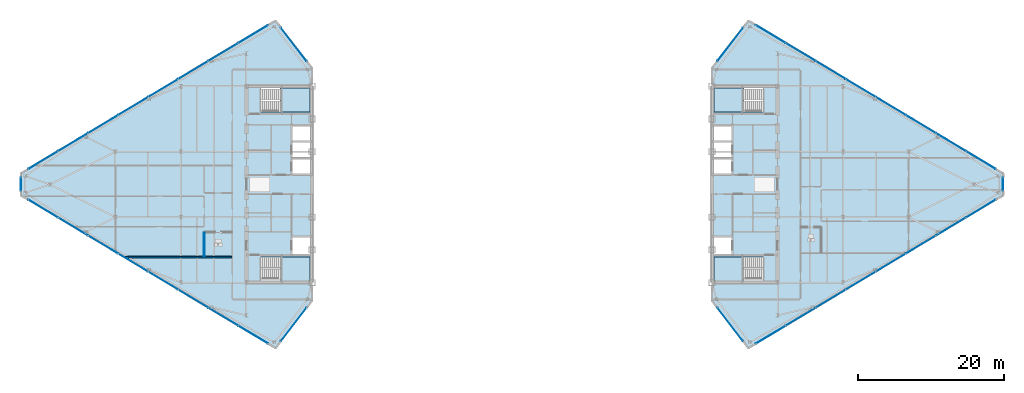
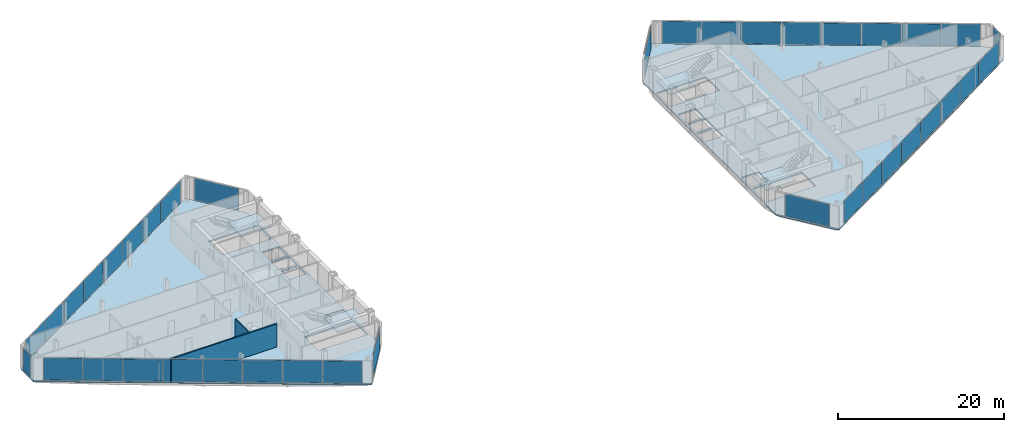
# One storey, part 18 of 25: 38 plates, 6 slabs, 2 walls, 14 elements without a shape of their own.
"""IFC4 building model written with IfcOpenShell, lengths in metres."""

from ifc_helpers import new_model, si_unit, direction, frame, frame_2d, origin, origin_2d, place, context, subcontext, project, spatial, polyline, rectangle, outline, extrude, source, transform, mapped, material, layer, layer_set, type_object, type_shapes, element, aggregate, save


model = new_model("IFC4")

# Units and contexts
model_context = context("Model", 3, precision=1e-05, world=origin(), true_north=direction((0.0, 1.0)))
body_context = subcontext(model_context, "Body", "Model", "MODEL_VIEW")
ifc_project = project(units=[si_unit("LENGTHUNIT", "METRE"), si_unit("AREAUNIT", "SQUARE_METRE"), si_unit("VOLUMEUNIT", "CUBIC_METRE"), si_unit("PLANEANGLEUNIT", "RADIAN"), si_unit("MASSUNIT", "GRAM", prefix="KILO")], contexts=[model_context])

# Site, building, storey
site_placement = place(None, origin())
site = spatial("IfcSite", under=ifc_project, at=site_placement, CompositionType="ELEMENT")
building_placement = place(site_placement, origin())
building = spatial("IfcBuilding", under=site, at=building_placement, Name="Seokmaru Belvedere", CompositionType="ELEMENT")
storey_placement = place(building_placement, frame((0.0, 0.0, 206.699951171875)))
storey = spatial("IfcBuildingStorey", under=building, at=storey_placement, Name="L55", CompositionType="ELEMENT", Elevation=206.699951171875)

# Stair, slab
ifc_material_1 = material(Name="Concrete C40 (40 MPa)", Category="concrete")
stair_type = type_object("IfcStairType", Name="Typical Tower Core Dog-Leg Stair 3600", PredefinedType="TWO_STRAIGHT_RUN_STAIR", material=ifc_material_1)
stair_1_placement = place(storey_placement, origin())
stair_1 = element("IfcStair", 1, at=stair_1_placement, inside=storey, type_object=stair_type, Name="L55 Special Escape Stair ST-W1", PredefinedType="TWO_STRAIGHT_RUN_STAIR")
ifc_layer_1 = layer(ifc_material_1, 0.199951171875)
ifc_layer_set_1 = layer_set([ifc_layer_1], Name="Concrete C40 (40 MPa)")
slab_type_1 = type_object("IfcSlabType", Name="Reinforced Concrete Stair Landing Slab 200", PredefinedType="LANDING", material=ifc_layer_set_1)
slab_1_placement = place(storey_placement, frame((0.0, 0.0, 1.60009765625)))
slab_1 = element("IfcSlab", 2, at=slab_1_placement, type_object=slab_type_1, Name="ST-W1 landing 1", PredefinedType="LANDING", context=body_context, shape_type="SweptSolid", body=[
    extrude(outline(polyline([(-31.8798828125, -13.239990234375), (-27.760009765625, -13.239990234375), (-27.760009765625, -9.949951171875), (-31.8798828125, -9.949951171875), (-31.8798828125, -13.239990234375)])), origin(), (0.0, 0.0, 1.0), 0.199951171875),
])
aggregate(stair_1, [slab_1])

stair_2_placement = place(storey_placement, origin())
stair_2 = element("IfcStair", 3, at=stair_2_placement, inside=storey, type_object=stair_type, Name="L55 Special Escape Stair ST-W2", PredefinedType="TWO_STRAIGHT_RUN_STAIR")
slab_2_placement = place(storey_placement, frame((0.0, 0.0, 1.60009765625)))
slab_2 = element("IfcSlab", 4, at=slab_2_placement, type_object=slab_type_1, Name="ST-W2 landing 1", PredefinedType="LANDING", context=body_context, shape_type="SweptSolid", body=[
    extrude(outline(polyline([(-31.8798828125, 9.949951171875), (-27.760009765625, 9.949951171875), (-27.760009765625, 13.239990234375), (-31.8798828125, 13.239990234375), (-31.8798828125, 9.949951171875)])), origin(), (0.0, 0.0, 1.0), 0.199951171875),
])
aggregate(stair_2, [slab_2])

stair_3_placement = place(storey_placement, origin())
stair_3 = element("IfcStair", 5, at=stair_3_placement, inside=storey, type_object=stair_type, Name="L55 Special Escape Stair ST-E1", PredefinedType="TWO_STRAIGHT_RUN_STAIR")
slab_3_placement = place(storey_placement, frame((0.0, 0.0, 1.60009765625)))
slab_3 = element("IfcSlab", 6, at=slab_3_placement, type_object=slab_type_1, Name="ST-E1 landing 1", PredefinedType="LANDING", context=body_context, shape_type="SweptSolid", body=[
    extrude(outline(polyline([(27.760009765625, -13.239990234375), (31.8798828125, -13.239990234375), (31.8798828125, -9.949951171875), (27.760009765625, -9.949951171875), (27.760009765625, -13.239990234375)])), origin(), (0.0, 0.0, 1.0), 0.199951171875),
])
aggregate(stair_3, [slab_3])

stair_4_placement = place(storey_placement, origin())
stair_4 = element("IfcStair", 7, at=stair_4_placement, inside=storey, type_object=stair_type, Name="L55 Special Escape Stair ST-E2", PredefinedType="TWO_STRAIGHT_RUN_STAIR")
slab_4_placement = place(storey_placement, frame((0.0, 0.0, 1.60009765625)))
slab_4 = element("IfcSlab", 8, at=slab_4_placement, type_object=slab_type_1, Name="ST-E2 landing 1", PredefinedType="LANDING", context=body_context, shape_type="SweptSolid", body=[
    extrude(outline(polyline([(27.760009765625, 9.949951171875), (31.8798828125, 9.949951171875), (31.8798828125, 13.239990234375), (27.760009765625, 13.239990234375), (27.760009765625, 9.949951171875)])), origin(), (0.0, 0.0, 1.0), 0.199951171875),
])
aggregate(stair_4, [slab_4])

# Slabs
ifc_layer_2 = layer(ifc_material_1, 0.219970703125)
ifc_layer_set_2 = layer_set([ifc_layer_2], Name="Concrete C40 (40 MPa)")
slab_type_2 = type_object("IfcSlabType", Name="Typical Tower Composite Floor Slab 220", PredefinedType="FLOOR", material=ifc_layer_set_2)
slab_5_placement = place(storey_placement, frame((0.0, 0.0, -0.219970703125)))
element("IfcSlab", 9, at=slab_5_placement, inside=storey, type_object=slab_type_2, Name="L55 West Leg Floor Slab", PredefinedType="FLOOR", context=body_context, shape_type="SweptSolid", body=[
    extrude(outline(polyline([(-27.5, -16.0), (-27.5, 16.0), (-32.5, 22.5), (-67.5, 1.5), (-67.5, -1.5), (-32.5, -22.5), (-27.5, -16.0)]), holes=[polyline([(-34.60009765625, -13.25), (-27.75, -13.25), (-27.75, -9.949951171875), (-34.60009765625, -9.949951171875), (-34.60009765625, -13.25)]), polyline([(-34.60009765625, 9.949951171875), (-27.75, 9.949951171875), (-27.75, 13.25), (-34.60009765625, 13.25), (-34.60009765625, 9.949951171875)]), polyline([(-30.14990234375, -9.550048828125), (-27.75, -9.550048828125), (-27.75, -7.25), (-30.14990234375, -7.25), (-30.14990234375, -9.550048828125)]), polyline([(-30.14990234375, 1.449951171875), (-27.75, 1.449951171875), (-27.75, 3.449951171875), (-30.14990234375, 3.449951171875), (-30.14990234375, 1.449951171875)]), polyline([(-30.14990234375, 3.75), (-27.75, 3.75), (-27.75, 5.75), (-30.14990234375, 5.75), (-30.14990234375, 3.75)]), polyline([(-30.14990234375, 6.050048828125), (-27.75, 6.050048828125), (-27.75, 8.050048828125), (-30.14990234375, 8.050048828125), (-30.14990234375, 6.050048828125)])]), origin(), (0.0, 0.0, 1.0), 0.219970703125),
])
slab_6_placement = place(storey_placement, frame((0.0, 0.0, -0.219970703125)))
element("IfcSlab", 10, at=slab_6_placement, inside=storey, type_object=slab_type_2, Name="L55 East Leg Floor Slab", PredefinedType="FLOOR", context=body_context, shape_type="SweptSolid", body=[
    extrude(outline(polyline([(32.5, -22.5), (67.5, -1.5), (67.5, 1.5), (32.5, 22.5), (27.5, 16.0), (27.5, -16.0), (32.5, -22.5)]), holes=[polyline([(27.75, -13.25), (34.60009765625, -13.25), (34.60009765625, -9.949951171875), (27.75, -9.949951171875), (27.75, -13.25)]), polyline([(27.75, 9.949951171875), (34.60009765625, 9.949951171875), (34.60009765625, 13.25), (27.75, 13.25), (27.75, 9.949951171875)]), polyline([(27.75, -9.550048828125), (30.14990234375, -9.550048828125), (30.14990234375, -7.25), (27.75, -7.25), (27.75, -9.550048828125)]), polyline([(27.75, 1.449951171875), (30.14990234375, 1.449951171875), (30.14990234375, 3.449951171875), (27.75, 3.449951171875), (27.75, 1.449951171875)]), polyline([(27.75, 3.75), (30.14990234375, 3.75), (30.14990234375, 5.75), (27.75, 5.75), (27.75, 3.75)]), polyline([(27.75, 6.050048828125), (30.14990234375, 6.050048828125), (30.14990234375, 8.050048828125), (27.75, 8.050048828125), (27.75, 6.050048828125)])]), origin(), (0.0, 0.0, 1.0), 0.219970703125),
])

# Curtain wall, plate
ifc_material_2 = material(Name="Bronze Triple Insulating Glass", Category="glass")
ifc_layer_3 = layer(ifc_material_2, 0.179931640625)
ifc_layer_set_3 = layer_set([ifc_layer_3], Name="Bronze Triple Insulating Glass")
curtain_wall_type = type_object("IfcCurtainWallType", Name="High-Rise Wind-Corner Curtain Wall System CW-5", PredefinedType="NOTDEFINED", material=ifc_layer_set_3)
curtain_wall_1_placement = place(storey_placement, origin())
curtain_wall_1 = element("IfcCurtainWall", 11, at=curtain_wall_1_placement, inside=storey, type_object=curtain_wall_type, Name="L55 Curtain Wall WF2", PredefinedType="NOTDEFINED")
ifc_layer_4 = layer(ifc_material_2, 0.035888671875)
ifc_layer_set_4 = layer_set([ifc_layer_4], Name="Bronze Triple Insulating Glass")
plate_type = type_object("IfcPlateType", Name="Bronze Triple Vision Glazing Panel 36", PredefinedType="CURTAIN_PANEL", material=ifc_layer_set_4)
shared_shape_1 = source(origin(), body_context, "Body", "SweptSolid", [
    extrude(rectangle(XDim=5.7705078125, YDim=0.035888671875, at=origin_2d()), origin(), (0.0, 0.0, 1.0), 3.25),
])
plate_1_placement = place(storey_placement, frame((-30.0, 19.25, 0.06494140625), z_axis=(0.0, 0.0, 1.0), x_axis=(-0.609701187349, 0.792631353244, 0.0)))
plate_1 = element("IfcPlate", 12, at=plate_1_placement, type_object=plate_type, Name="CW:L55:WF2 Glazing Panel 1-1", PredefinedType="CURTAIN_PANEL", context=body_context, shape_type="MappedRepresentation", body=[
    mapped(shared_shape_1, transform((0.0, 0.0, 0.0), scale=1.0)),
])
aggregate(curtain_wall_1, [plate_1])

curtain_wall_2_placement = place(storey_placement, origin())
curtain_wall_2 = element("IfcCurtainWall", 13, at=curtain_wall_2_placement, inside=storey, type_object=curtain_wall_type, Name="L55 Curtain Wall WF6", PredefinedType="NOTDEFINED")
plate_2_placement = place(storey_placement, frame((-30.0, -19.25, 0.06494140625), z_axis=(0.0, 0.0, 1.0), x_axis=(0.609701187349, 0.792631353244, 0.0)))
plate_2 = element("IfcPlate", 14, at=plate_2_placement, type_object=plate_type, Name="CW:L55:WF6 Glazing Panel 1-1", PredefinedType="CURTAIN_PANEL", context=body_context, shape_type="MappedRepresentation", body=[
    mapped(shared_shape_1, transform((0.0, 0.0, 0.0), scale=1.0)),
])
aggregate(curtain_wall_2, [plate_2])

curtain_wall_3_placement = place(storey_placement, origin())
curtain_wall_3 = element("IfcCurtainWall", 15, at=curtain_wall_3_placement, inside=storey, type_object=curtain_wall_type, Name="L55 Curtain Wall EF4", PredefinedType="NOTDEFINED")
plate_3_placement = place(storey_placement, frame((30.0, 19.25, 0.06494140625), z_axis=(0.0, 0.0, 1.0), x_axis=(-0.609701187349, -0.792631353244, 0.0)))
plate_3 = element("IfcPlate", 16, at=plate_3_placement, type_object=plate_type, Name="CW:L55:EF4 Glazing Panel 1-1", PredefinedType="CURTAIN_PANEL", context=body_context, shape_type="MappedRepresentation", body=[
    mapped(shared_shape_1, transform((0.0, 0.0, 0.0), scale=1.0)),
])
aggregate(curtain_wall_3, [plate_3])

curtain_wall_4_placement = place(storey_placement, origin())
curtain_wall_4 = element("IfcCurtainWall", 17, at=curtain_wall_4_placement, inside=storey, type_object=curtain_wall_type, Name="L55 Curtain Wall EF6", PredefinedType="NOTDEFINED")
plate_4_placement = place(storey_placement, frame((30.0, -19.25, 0.06494140625), z_axis=(0.0, 0.0, 1.0), x_axis=(0.609701187349, -0.792631353244, 0.0)))
plate_4 = element("IfcPlate", 18, at=plate_4_placement, type_object=plate_type, Name="CW:L55:EF6 Glazing Panel 1-1", PredefinedType="CURTAIN_PANEL", context=body_context, shape_type="MappedRepresentation", body=[
    mapped(shared_shape_1, transform((0.0, 0.0, 0.0), scale=1.0)),
])
aggregate(curtain_wall_4, [plate_4])

# Curtain wall, plates
curtain_wall_5_placement = place(storey_placement, origin())
curtain_wall_5 = element("IfcCurtainWall", 19, at=curtain_wall_5_placement, inside=storey, type_object=curtain_wall_type, Name="L55 Curtain Wall WF3", PredefinedType="NOTDEFINED")
shared_shape_2 = source(origin(), body_context, "Body", "SweptSolid", [
    extrude(rectangle(XDim=4.717041015625, YDim=0.035888671875, at=origin_2d()), origin(), (0.0, 0.0, 1.0), 3.25),
])
plate_5_placement = place(storey_placement, frame((-35.564208984375, 20.661376953125, 0.06494140625), z_axis=(0.0, 0.0, 1.0), x_axis=(-0.85749343335, -0.514494909364, 0.0)))
plate_5 = element("IfcPlate", 20, at=plate_5_placement, type_object=plate_type, Name="CW:L55:WF3 Glazing Panel 1-1", PredefinedType="CURTAIN_PANEL", context=body_context, shape_type="MappedRepresentation", body=[
    mapped(shared_shape_2, transform((0.0, 0.0, 0.0), scale=1.0)),
])
plate_6_placement = place(storey_placement, frame((-64.435791015625, 3.338623046875, 0.06494140625), z_axis=(0.0, 0.0, 1.0), x_axis=(-0.85749343335, -0.514494909364, 0.0)))
plate_6 = element("IfcPlate", 21, at=plate_6_placement, type_object=plate_type, Name="CW:L55:WF3 Glazing Panel 8-1", PredefinedType="CURTAIN_PANEL", context=body_context, shape_type="MappedRepresentation", body=[
    mapped(shared_shape_2, transform((0.0, 0.0, 0.0), scale=1.0)),
])

curtain_wall_6_placement = place(storey_placement, origin())
curtain_wall_6 = element("IfcCurtainWall", 22, at=curtain_wall_6_placement, inside=storey, type_object=curtain_wall_type, Name="L55 Curtain Wall WF5", PredefinedType="NOTDEFINED")
plate_7_placement = place(storey_placement, frame((-64.435791015625, -3.338623046875, 0.06494140625), z_axis=(0.0, 0.0, 1.0), x_axis=(0.85749343335, -0.514494909364, 0.0)))
plate_7 = element("IfcPlate", 23, at=plate_7_placement, type_object=plate_type, Name="CW:L55:WF5 Glazing Panel 1-1", PredefinedType="CURTAIN_PANEL", context=body_context, shape_type="MappedRepresentation", body=[
    mapped(shared_shape_2, transform((0.0, 0.0, 0.0), scale=1.0)),
])
plate_8_placement = place(storey_placement, frame((-35.564208984375, -20.661376953125, 0.06494140625), z_axis=(0.0, 0.0, 1.0), x_axis=(0.85749343335, -0.514494909364, 0.0)))
plate_8 = element("IfcPlate", 24, at=plate_8_placement, type_object=plate_type, Name="CW:L55:WF5 Glazing Panel 8-1", PredefinedType="CURTAIN_PANEL", context=body_context, shape_type="MappedRepresentation", body=[
    mapped(shared_shape_2, transform((0.0, 0.0, 0.0), scale=1.0)),
])

curtain_wall_7_placement = place(storey_placement, origin())
curtain_wall_7 = element("IfcCurtainWall", 25, at=curtain_wall_7_placement, inside=storey, type_object=curtain_wall_type, Name="L55 Curtain Wall EF1", PredefinedType="NOTDEFINED")
plate_9_placement = place(storey_placement, frame((35.564208984375, -20.661376953125, 0.06494140625), z_axis=(0.0, 0.0, 1.0), x_axis=(0.85749343335, 0.514494909364, 0.0)))
plate_9 = element("IfcPlate", 26, at=plate_9_placement, type_object=plate_type, Name="CW:L55:EF1 Glazing Panel 1-1", PredefinedType="CURTAIN_PANEL", context=body_context, shape_type="MappedRepresentation", body=[
    mapped(shared_shape_2, transform((0.0, 0.0, 0.0), scale=1.0)),
])
plate_10_placement = place(storey_placement, frame((64.435791015625, -3.338623046875, 0.06494140625), z_axis=(0.0, 0.0, 1.0), x_axis=(0.85749343335, 0.514494909364, 0.0)))
plate_10 = element("IfcPlate", 27, at=plate_10_placement, type_object=plate_type, Name="CW:L55:EF1 Glazing Panel 8-1", PredefinedType="CURTAIN_PANEL", context=body_context, shape_type="MappedRepresentation", body=[
    mapped(shared_shape_2, transform((0.0, 0.0, 0.0), scale=1.0)),
])

curtain_wall_8_placement = place(storey_placement, origin())
curtain_wall_8 = element("IfcCurtainWall", 28, at=curtain_wall_8_placement, inside=storey, type_object=curtain_wall_type, Name="L55 Curtain Wall EF3", PredefinedType="NOTDEFINED")
plate_11_placement = place(storey_placement, frame((64.435791015625, 3.338623046875, 0.06494140625), z_axis=(0.0, 0.0, 1.0), x_axis=(-0.85749343335, 0.514494909364, 0.0)))
plate_11 = element("IfcPlate", 29, at=plate_11_placement, type_object=plate_type, Name="CW:L55:EF3 Glazing Panel 1-1", PredefinedType="CURTAIN_PANEL", context=body_context, shape_type="MappedRepresentation", body=[
    mapped(shared_shape_2, transform((0.0, 0.0, 0.0), scale=1.0)),
])
plate_12_placement = place(storey_placement, frame((35.564208984375, 20.661376953125, 0.06494140625), z_axis=(0.0, 0.0, 1.0), x_axis=(-0.85749343335, 0.514494909364, 0.0)))
plate_12 = element("IfcPlate", 30, at=plate_12_placement, type_object=plate_type, Name="CW:L55:EF3 Glazing Panel 8-1", PredefinedType="CURTAIN_PANEL", context=body_context, shape_type="MappedRepresentation", body=[
    mapped(shared_shape_2, transform((0.0, 0.0, 0.0), scale=1.0)),
])

# Plate
shared_shape_3 = source(origin(), body_context, "Body", "SweptSolid", [
    extrude(rectangle(XDim=4.74951171875, YDim=0.035888671875, at=origin_2d()), origin(), (0.0, 0.0, 1.0), 3.25),
])
plate_13_placement = place(storey_placement, frame((-39.6787109375, 18.192626953125, 0.06494140625), z_axis=(0.0, 0.0, 1.0), x_axis=(-0.85749343335, -0.514494909364, 0.0)))
plate_13 = element("IfcPlate", 31, at=plate_13_placement, type_object=plate_type, Name="CW:L55:WF3 Glazing Panel 2-1", PredefinedType="CURTAIN_PANEL", context=body_context, shape_type="MappedRepresentation", body=[
    mapped(shared_shape_3, transform((0.0, 0.0, 0.0), scale=1.0)),
])

plate_14_placement = place(storey_placement, frame((-43.807373046875, 15.715576171875, 0.06494140625), z_axis=(0.0, 0.0, 1.0), x_axis=(-0.85749343335, -0.514494909364, 0.0)))
plate_14 = element("IfcPlate", 32, at=plate_14_placement, type_object=plate_type, Name="CW:L55:WF3 Glazing Panel 3-1", PredefinedType="CURTAIN_PANEL", context=body_context, shape_type="MappedRepresentation", body=[
    mapped(shared_shape_3, transform((0.0, 0.0, 0.0), scale=1.0)),
])

plate_15_placement = place(storey_placement, frame((-47.935791015625, 13.238525390625, 0.06494140625), z_axis=(0.0, 0.0, 1.0), x_axis=(-0.85749343335, -0.514494909364, 0.0)))
plate_15 = element("IfcPlate", 33, at=plate_15_placement, type_object=plate_type, Name="CW:L55:WF3 Glazing Panel 4-1", PredefinedType="CURTAIN_PANEL", context=body_context, shape_type="MappedRepresentation", body=[
    mapped(shared_shape_3, transform((0.0, 0.0, 0.0), scale=1.0)),
])

plate_16_placement = place(storey_placement, frame((-52.064208984375, 10.761474609375, 0.06494140625), z_axis=(0.0, 0.0, 1.0), x_axis=(-0.85749343335, -0.514494909364, 0.0)))
plate_16 = element("IfcPlate", 34, at=plate_16_placement, type_object=plate_type, Name="CW:L55:WF3 Glazing Panel 5-1", PredefinedType="CURTAIN_PANEL", context=body_context, shape_type="MappedRepresentation", body=[
    mapped(shared_shape_3, transform((0.0, 0.0, 0.0), scale=1.0)),
])

plate_17_placement = place(storey_placement, frame((-56.192626953125, 8.284423828125, 0.06494140625), z_axis=(0.0, 0.0, 1.0), x_axis=(-0.85749343335, -0.514494909364, 0.0)))
plate_17 = element("IfcPlate", 35, at=plate_17_placement, type_object=plate_type, Name="CW:L55:WF3 Glazing Panel 6-1", PredefinedType="CURTAIN_PANEL", context=body_context, shape_type="MappedRepresentation", body=[
    mapped(shared_shape_3, transform((0.0, 0.0, 0.0), scale=1.0)),
])

plate_18_placement = place(storey_placement, frame((-60.3212890625, 5.807373046875, 0.06494140625), z_axis=(0.0, 0.0, 1.0), x_axis=(-0.85749343335, -0.514494909364, 0.0)))
plate_18 = element("IfcPlate", 36, at=plate_18_placement, type_object=plate_type, Name="CW:L55:WF3 Glazing Panel 7-1", PredefinedType="CURTAIN_PANEL", context=body_context, shape_type="MappedRepresentation", body=[
    mapped(shared_shape_3, transform((0.0, 0.0, 0.0), scale=1.0)),
])

aggregate(curtain_wall_5, [plate_5, plate_13, plate_14, plate_15, plate_16, plate_17, plate_18, plate_6])

plate_19_placement = place(storey_placement, frame((-60.3212890625, -5.807373046875, 0.06494140625), z_axis=(0.0, 0.0, 1.0), x_axis=(0.85749343335, -0.514494909364, 0.0)))
plate_19 = element("IfcPlate", 37, at=plate_19_placement, type_object=plate_type, Name="CW:L55:WF5 Glazing Panel 2-1", PredefinedType="CURTAIN_PANEL", context=body_context, shape_type="MappedRepresentation", body=[
    mapped(shared_shape_3, transform((0.0, 0.0, 0.0), scale=1.0)),
])

plate_20_placement = place(storey_placement, frame((-56.192626953125, -8.284423828125, 0.06494140625), z_axis=(0.0, 0.0, 1.0), x_axis=(0.85749343335, -0.514494909364, 0.0)))
plate_20 = element("IfcPlate", 38, at=plate_20_placement, type_object=plate_type, Name="CW:L55:WF5 Glazing Panel 3-1", PredefinedType="CURTAIN_PANEL", context=body_context, shape_type="MappedRepresentation", body=[
    mapped(shared_shape_3, transform((0.0, 0.0, 0.0), scale=1.0)),
])

plate_21_placement = place(storey_placement, frame((-52.064208984375, -10.761474609375, 0.06494140625), z_axis=(0.0, 0.0, 1.0), x_axis=(0.85749343335, -0.514494909364, 0.0)))
plate_21 = element("IfcPlate", 39, at=plate_21_placement, type_object=plate_type, Name="CW:L55:WF5 Glazing Panel 4-1", PredefinedType="CURTAIN_PANEL", context=body_context, shape_type="MappedRepresentation", body=[
    mapped(shared_shape_3, transform((0.0, 0.0, 0.0), scale=1.0)),
])

plate_22_placement = place(storey_placement, frame((-47.935791015625, -13.238525390625, 0.06494140625), z_axis=(0.0, 0.0, 1.0), x_axis=(0.85749343335, -0.514494909364, 0.0)))
plate_22 = element("IfcPlate", 40, at=plate_22_placement, type_object=plate_type, Name="CW:L55:WF5 Glazing Panel 5-1", PredefinedType="CURTAIN_PANEL", context=body_context, shape_type="MappedRepresentation", body=[
    mapped(shared_shape_3, transform((0.0, 0.0, 0.0), scale=1.0)),
])

plate_23_placement = place(storey_placement, frame((-43.807373046875, -15.715576171875, 0.06494140625), z_axis=(0.0, 0.0, 1.0), x_axis=(0.85749343335, -0.514494909364, 0.0)))
plate_23 = element("IfcPlate", 41, at=plate_23_placement, type_object=plate_type, Name="CW:L55:WF5 Glazing Panel 6-1", PredefinedType="CURTAIN_PANEL", context=body_context, shape_type="MappedRepresentation", body=[
    mapped(shared_shape_3, transform((0.0, 0.0, 0.0), scale=1.0)),
])

plate_24_placement = place(storey_placement, frame((-39.6787109375, -18.192626953125, 0.06494140625), z_axis=(0.0, 0.0, 1.0), x_axis=(0.85749343335, -0.514494909364, 0.0)))
plate_24 = element("IfcPlate", 42, at=plate_24_placement, type_object=plate_type, Name="CW:L55:WF5 Glazing Panel 7-1", PredefinedType="CURTAIN_PANEL", context=body_context, shape_type="MappedRepresentation", body=[
    mapped(shared_shape_3, transform((0.0, 0.0, 0.0), scale=1.0)),
])

aggregate(curtain_wall_6, [plate_7, plate_19, plate_20, plate_21, plate_22, plate_23, plate_24, plate_8])

plate_25_placement = place(storey_placement, frame((39.6787109375, -18.192626953125, 0.06494140625), z_axis=(0.0, 0.0, 1.0), x_axis=(0.85749343335, 0.514494909364, 0.0)))
plate_25 = element("IfcPlate", 43, at=plate_25_placement, type_object=plate_type, Name="CW:L55:EF1 Glazing Panel 2-1", PredefinedType="CURTAIN_PANEL", context=body_context, shape_type="MappedRepresentation", body=[
    mapped(shared_shape_3, transform((0.0, 0.0, 0.0), scale=1.0)),
])

plate_26_placement = place(storey_placement, frame((43.807373046875, -15.715576171875, 0.06494140625), z_axis=(0.0, 0.0, 1.0), x_axis=(0.85749343335, 0.514494909364, 0.0)))
plate_26 = element("IfcPlate", 44, at=plate_26_placement, type_object=plate_type, Name="CW:L55:EF1 Glazing Panel 3-1", PredefinedType="CURTAIN_PANEL", context=body_context, shape_type="MappedRepresentation", body=[
    mapped(shared_shape_3, transform((0.0, 0.0, 0.0), scale=1.0)),
])

plate_27_placement = place(storey_placement, frame((47.935791015625, -13.238525390625, 0.06494140625), z_axis=(0.0, 0.0, 1.0), x_axis=(0.85749343335, 0.514494909364, 0.0)))
plate_27 = element("IfcPlate", 45, at=plate_27_placement, type_object=plate_type, Name="CW:L55:EF1 Glazing Panel 4-1", PredefinedType="CURTAIN_PANEL", context=body_context, shape_type="MappedRepresentation", body=[
    mapped(shared_shape_3, transform((0.0, 0.0, 0.0), scale=1.0)),
])

plate_28_placement = place(storey_placement, frame((52.064208984375, -10.761474609375, 0.06494140625), z_axis=(0.0, 0.0, 1.0), x_axis=(0.85749343335, 0.514494909364, 0.0)))
plate_28 = element("IfcPlate", 46, at=plate_28_placement, type_object=plate_type, Name="CW:L55:EF1 Glazing Panel 5-1", PredefinedType="CURTAIN_PANEL", context=body_context, shape_type="MappedRepresentation", body=[
    mapped(shared_shape_3, transform((0.0, 0.0, 0.0), scale=1.0)),
])

plate_29_placement = place(storey_placement, frame((56.192626953125, -8.284423828125, 0.06494140625), z_axis=(0.0, 0.0, 1.0), x_axis=(0.85749343335, 0.514494909364, 0.0)))
plate_29 = element("IfcPlate", 47, at=plate_29_placement, type_object=plate_type, Name="CW:L55:EF1 Glazing Panel 6-1", PredefinedType="CURTAIN_PANEL", context=body_context, shape_type="MappedRepresentation", body=[
    mapped(shared_shape_3, transform((0.0, 0.0, 0.0), scale=1.0)),
])

plate_30_placement = place(storey_placement, frame((60.3212890625, -5.807373046875, 0.06494140625), z_axis=(0.0, 0.0, 1.0), x_axis=(0.85749343335, 0.514494909364, 0.0)))
plate_30 = element("IfcPlate", 48, at=plate_30_placement, type_object=plate_type, Name="CW:L55:EF1 Glazing Panel 7-1", PredefinedType="CURTAIN_PANEL", context=body_context, shape_type="MappedRepresentation", body=[
    mapped(shared_shape_3, transform((0.0, 0.0, 0.0), scale=1.0)),
])

aggregate(curtain_wall_7, [plate_9, plate_25, plate_26, plate_27, plate_28, plate_29, plate_30, plate_10])

plate_31_placement = place(storey_placement, frame((60.3212890625, 5.807373046875, 0.06494140625), z_axis=(0.0, 0.0, 1.0), x_axis=(-0.85749343335, 0.514494909364, 0.0)))
plate_31 = element("IfcPlate", 49, at=plate_31_placement, type_object=plate_type, Name="CW:L55:EF3 Glazing Panel 2-1", PredefinedType="CURTAIN_PANEL", context=body_context, shape_type="MappedRepresentation", body=[
    mapped(shared_shape_3, transform((0.0, 0.0, 0.0), scale=1.0)),
])

plate_32_placement = place(storey_placement, frame((56.192626953125, 8.284423828125, 0.06494140625), z_axis=(0.0, 0.0, 1.0), x_axis=(-0.85749343335, 0.514494909364, 0.0)))
plate_32 = element("IfcPlate", 50, at=plate_32_placement, type_object=plate_type, Name="CW:L55:EF3 Glazing Panel 3-1", PredefinedType="CURTAIN_PANEL", context=body_context, shape_type="MappedRepresentation", body=[
    mapped(shared_shape_3, transform((0.0, 0.0, 0.0), scale=1.0)),
])

plate_33_placement = place(storey_placement, frame((52.064208984375, 10.761474609375, 0.06494140625), z_axis=(0.0, 0.0, 1.0), x_axis=(-0.85749343335, 0.514494909364, 0.0)))
plate_33 = element("IfcPlate", 51, at=plate_33_placement, type_object=plate_type, Name="CW:L55:EF3 Glazing Panel 4-1", PredefinedType="CURTAIN_PANEL", context=body_context, shape_type="MappedRepresentation", body=[
    mapped(shared_shape_3, transform((0.0, 0.0, 0.0), scale=1.0)),
])

plate_34_placement = place(storey_placement, frame((47.935791015625, 13.238525390625, 0.06494140625), z_axis=(0.0, 0.0, 1.0), x_axis=(-0.85749343335, 0.514494909364, 0.0)))
plate_34 = element("IfcPlate", 52, at=plate_34_placement, type_object=plate_type, Name="CW:L55:EF3 Glazing Panel 5-1", PredefinedType="CURTAIN_PANEL", context=body_context, shape_type="MappedRepresentation", body=[
    mapped(shared_shape_3, transform((0.0, 0.0, 0.0), scale=1.0)),
])

plate_35_placement = place(storey_placement, frame((43.807373046875, 15.715576171875, 0.06494140625), z_axis=(0.0, 0.0, 1.0), x_axis=(-0.85749343335, 0.514494909364, 0.0)))
plate_35 = element("IfcPlate", 53, at=plate_35_placement, type_object=plate_type, Name="CW:L55:EF3 Glazing Panel 6-1", PredefinedType="CURTAIN_PANEL", context=body_context, shape_type="MappedRepresentation", body=[
    mapped(shared_shape_3, transform((0.0, 0.0, 0.0), scale=1.0)),
])

plate_36_placement = place(storey_placement, frame((39.6787109375, 18.192626953125, 0.06494140625), z_axis=(0.0, 0.0, 1.0), x_axis=(-0.85749343335, 0.514494909364, 0.0)))
plate_36 = element("IfcPlate", 54, at=plate_36_placement, type_object=plate_type, Name="CW:L55:EF3 Glazing Panel 7-1", PredefinedType="CURTAIN_PANEL", context=body_context, shape_type="MappedRepresentation", body=[
    mapped(shared_shape_3, transform((0.0, 0.0, 0.0), scale=1.0)),
])

aggregate(curtain_wall_8, [plate_11, plate_31, plate_32, plate_33, plate_34, plate_35, plate_36, plate_12])

# Curtain wall, plate
curtain_wall_9_placement = place(storey_placement, origin())
curtain_wall_9 = element("IfcCurtainWall", 55, at=curtain_wall_9_placement, inside=storey, type_object=curtain_wall_type, Name="L55 Curtain Wall WF4", PredefinedType="NOTDEFINED")
shared_shape_4 = source(origin(), body_context, "Body", "SweptSolid", [
    extrude(rectangle(XDim=1.77001953125, YDim=0.035888671875, at=origin_2d()), origin(), (0.0, 0.0, 1.0), 3.25),
])
type_shapes(plate_type, [shared_shape_1, shared_shape_2, shared_shape_3, shared_shape_4])
plate_37_placement = place(storey_placement, frame((-67.5, 0.0, 0.06494140625), z_axis=(0.0, 0.0, 1.0), x_axis=(0.0, -1.0, 0.0)))
plate_37 = element("IfcPlate", 56, at=plate_37_placement, type_object=plate_type, Name="CW:L55:WF4 Glazing Panel 1-1", PredefinedType="CURTAIN_PANEL", context=body_context, shape_type="MappedRepresentation", body=[
    mapped(shared_shape_4, transform((0.0, 0.0, 0.0), scale=1.0)),
])
aggregate(curtain_wall_9, [plate_37])

curtain_wall_10_placement = place(storey_placement, origin())
curtain_wall_10 = element("IfcCurtainWall", 57, at=curtain_wall_10_placement, inside=storey, type_object=curtain_wall_type, Name="L55 Curtain Wall EF2", PredefinedType="NOTDEFINED")
plate_38_placement = place(storey_placement, frame((67.5, 0.0, 0.06494140625), z_axis=(0.0, 0.0, 1.0), x_axis=(0.0, 1.0, 0.0)))
plate_38 = element("IfcPlate", 58, at=plate_38_placement, type_object=plate_type, Name="CW:L55:EF2 Glazing Panel 1-1", PredefinedType="CURTAIN_PANEL", context=body_context, shape_type="MappedRepresentation", body=[
    mapped(shared_shape_4, transform((0.0, 0.0, 0.0), scale=1.0)),
])
aggregate(curtain_wall_10, [plate_38])

# Walls
ifc_material_3 = material(Name="Fire-Rated Gypsum Shaftwall")
ifc_layer_5 = layer(ifc_material_3, 0.199951171875)
ifc_layer_set_5 = layer_set([ifc_layer_5], Name="Fire-Rated Gypsum Shaftwall")
wall_type_1 = type_object("IfcWallType", Name="Inter-Tenancy Fire Compartment Partition 200", PredefinedType="PARTITIONING", material=ifc_layer_set_5)
wall_1_placement = place(storey_placement, frame((-53.343017578125, -10.0, 0.0), z_axis=(0.0, 0.0, 1.0), x_axis=(1.0, 0.0, 0.0)))
element("IfcWall", 59, at=wall_1_placement, inside=storey, type_object=wall_type_1, Name="L55 Interior Partition 003", PredefinedType="PARTITIONING", context=body_context, shape_type="SweptSolid", body=[
    extrude(rectangle(XDim=14.81298828125, YDim=0.199951171875, at=frame_2d((7.406494140625, 0.0))), origin(), (0.0, 0.0, 1.0), 3.380126953125),
])
ifc_layer_6 = layer(ifc_material_3, 0.1298828125)
ifc_layer_set_6 = layer_set([ifc_layer_6], Name="Fire-Rated Gypsum Shaftwall")
wall_type_2 = type_object("IfcWallType", Name="Moisture-Resistant Fire-Rated Bathroom Partition 130", PredefinedType="PARTITIONING", material=ifc_layer_set_6)
wall_2_placement = place(storey_placement, frame((-42.300048828125, -9.949951171875, 0.0), z_axis=(0.0, 0.0, 1.0), x_axis=(0.0, 1.0, 0.0)))
element("IfcWall", 60, at=wall_2_placement, inside=storey, type_object=wall_type_2, Name="L55 Interior Partition 018", PredefinedType="PARTITIONING", context=body_context, shape_type="SweptSolid", body=[
    extrude(rectangle(XDim=3.300048828125, YDim=0.1298828125, at=frame_2d((1.64990234375, 0.0))), origin(), (0.0, 0.0, 1.0), 3.380126953125),
])

save(model, "model.ifc")
